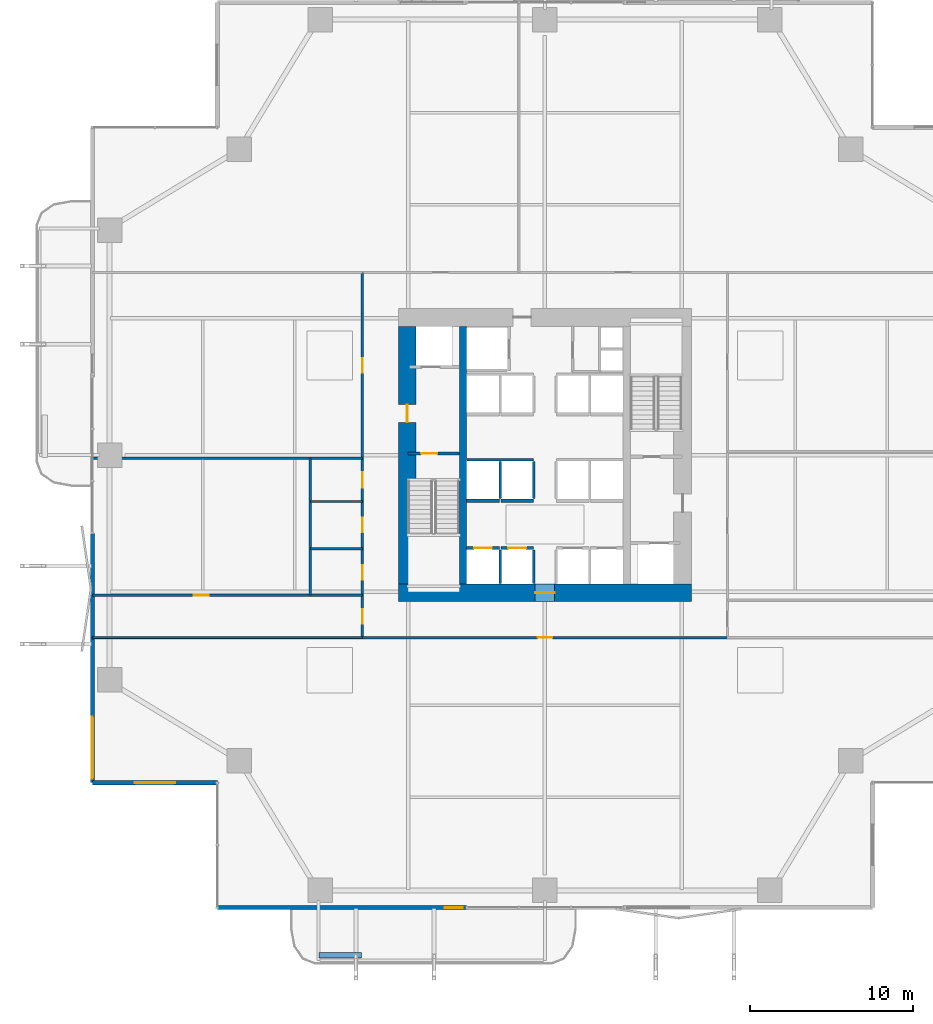
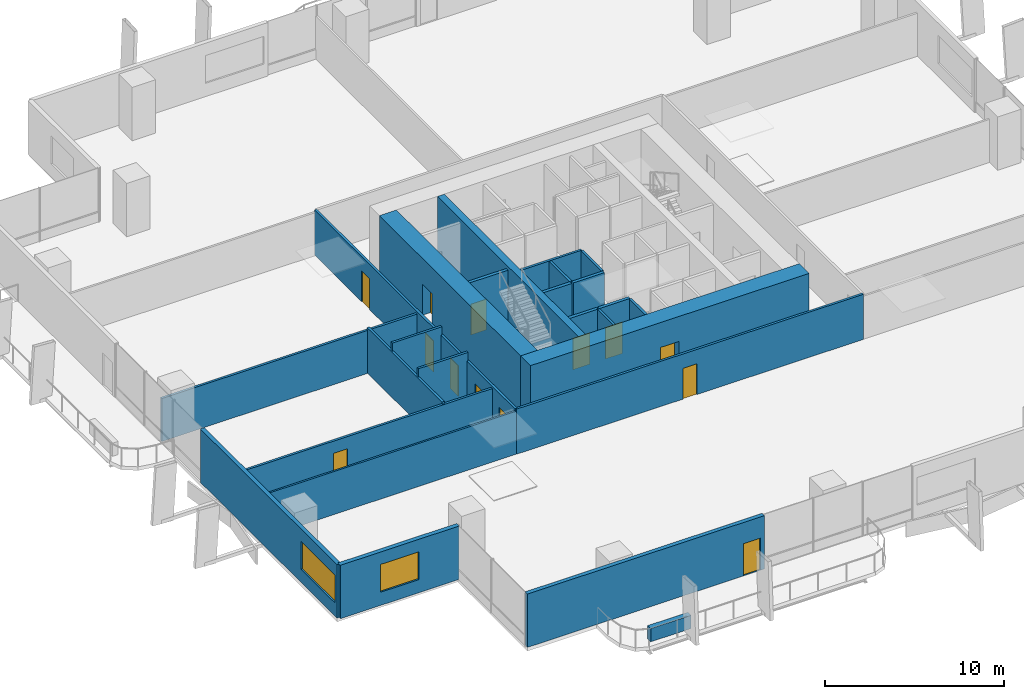
# One storey, part 24 of 30: 25 walls, 13 doors, 2 windows, 15 openings.
"""IFC4 building model written with IfcOpenShell, lengths in metres."""

from ifc_helpers import new_model, si_unit, direction, frame, frame_2d, origin, place, context, subcontext, project, spatial, rectangle, extrude, material, layer, layer_set, type_object, element, fill, save


model = new_model("IFC4")

# Units and contexts
model_context = context("Model", 3, precision=1e-05, world=origin(), true_north=direction((0.0, 1.0)))
body_context = subcontext(model_context, "Body", "Model", "MODEL_VIEW")
ifc_project = project(units=[si_unit("LENGTHUNIT", "METRE"), si_unit("AREAUNIT", "SQUARE_METRE"), si_unit("VOLUMEUNIT", "CUBIC_METRE"), si_unit("PLANEANGLEUNIT", "RADIAN"), si_unit("MASSUNIT", "GRAM", prefix="KILO")], contexts=[model_context])

# Site, building, storey
site_placement = place(None, origin())
site = spatial("IfcSite", under=ifc_project, at=site_placement, CompositionType="ELEMENT")
building_placement = place(site_placement, origin())
building = spatial("IfcBuilding", under=site, at=building_placement, Name="Belovzor Exchange Tower", CompositionType="ELEMENT")
storey_placement = place(building_placement, frame((0.0, 0.0, 30.0)))
storey = spatial("IfcBuildingStorey", under=building, at=storey_placement, Name="L06", CompositionType="ELEMENT", Elevation=30.0)

# Walls
ifc_material_1 = material(Name="Acoustic Plasterboard on Galvanised Studs", Category="gypsum")
ifc_layer_1 = layer(ifc_material_1, 0.1201171875)
ifc_layer_set_1 = layer_set([ifc_layer_1], Name="Acoustic Plasterboard on Galvanised Studs")
wall_type_1 = type_object("IfcWallType", Name="Acoustic Double-Stud Partition Wall 120", PredefinedType="PARTITIONING", material=ifc_layer_set_1)
wall_1_placement = place(storey_placement, frame((1.030029296875, 17.60009765625, 0.0), z_axis=(0.0, 0.0, 1.0), x_axis=(1.0, 0.0, 0.0)))
element("IfcWall", 1, at=wall_1_placement, inside=storey, type_object=wall_type_1, Name="W-P120 Partition Wall W-L06-END-SW", PredefinedType="PARTITIONING", context=body_context, shape_type="SweptSolid", body=[
    extrude(rectangle(XDim=16.570068359375, YDim=0.1201171875, at=frame_2d((8.28515625, 0.0))), origin(), (0.0, 0.0, 1.0), 2.93505859375),
])
ifc_material_2 = material(Name="Fire-Rated Gypsum Block and Mineral Wool", Category="gypsum")
ifc_layer_2 = layer(ifc_material_2, 0.14990234375)
ifc_layer_set_2 = layer_set([ifc_layer_2], Name="Fire-Rated Gypsum Block and Mineral Wool")
wall_type_2 = type_object("IfcWallType", Name="Fire-Rated Gypsum Block Corridor Wall 150", PredefinedType="PARTITIONING", material=ifc_layer_set_2)
wall_2_placement = place(storey_placement, frame((14.39990234375, 20.199951171875, 0.0), z_axis=(0.0, 0.0, 1.0), x_axis=(0.0, 1.0, 0.0)))
element("IfcWall", 2, at=wall_2_placement, inside=storey, type_object=wall_type_2, Name="W-P150 Partition Wall W-L06-WCW", PredefinedType="PARTITIONING", context=body_context, shape_type="SweptSolid", body=[
    extrude(rectangle(XDim=8.400146484375, YDim=0.14990234375, at=frame_2d((4.2001953125, 0.0))), origin(), (0.0, 0.0, 1.0), 3.0849609375),
])

# Wall, opening, door
wall_3_placement = place(storey_placement, frame((1.030029296875, 20.199951171875, 0.0), z_axis=(0.0, 0.0, 1.0), x_axis=(1.0, 0.0, 0.0)))
wall_3 = element("IfcWall", 3, at=wall_3_placement, inside=storey, type_object=wall_type_2, Name="W-P150 Partition Wall W-L06-WCS", PredefinedType="PARTITIONING", context=body_context, shape_type="SweptSolid", body=[
    extrude(rectangle(XDim=16.570068359375, YDim=0.14990234375, at=frame_2d((8.28515625, 0.0))), origin(), (0.0, 0.0, 1.0), 2.93505859375),
])
opening_1_placement = place(wall_3_placement, frame((6.235107421875, 0.0, 0.0)))
opening_1 = element("IfcOpeningElement", 4, at=opening_1_placement, cuts=wall_3, Name="Opening D-INT-090", PredefinedType="OPENING", context=body_context, shape_type="SweptSolid", body=[
    extrude(rectangle(XDim=0.89990234375, YDim=2.10009765625, at=frame_2d((0.449951171875, 1.050048828125))), frame((0.0, 0.0849609375, 0.0), z_axis=(0.0, -1.0, 0.0), x_axis=(1.0, 0.0, 0.0)), (0.0, 0.0, 1.0), 0.169921875),
])
ifc_material_3 = material(Name="Veneered Hardwood Acoustic Leaf", Category="wood")
door_type_1 = type_object("IfcDoorType", Name="Trading Suite Acoustic Single Door 900x2100", OperationType="NOTDEFINED", PredefinedType="DOOR", material=ifc_material_3)
door_1_placement = place(opening_1_placement, origin())
door_1 = element("IfcDoor", 5, at=door_1_placement, inside=storey, type_object=door_type_1, Name="D-INT-090 Trading Suite Acoustic Single Door 900x2100", OperationType="SINGLE_SWING_LEFT", OverallHeight=2.10009765625, OverallWidth=0.89990234375, PredefinedType="DOOR", context=body_context, shape_type="SweptSolid", body=[
    extrude(rectangle(XDim=0.89990234375, YDim=2.10009765625, at=frame_2d((0.449951171875, 1.050048828125))), frame((0.0, 0.02490234375, 0.0), z_axis=(0.0, -1.0, 0.0), x_axis=(1.0, 0.0, 0.0)), (0.0, 0.0, 1.0), 0.050048828125),
])
fill(opening_1, door_1)

# Walls
wall_4_placement = place(storey_placement, frame((1.030029296875, 28.60009765625, 0.0), z_axis=(0.0, 0.0, 1.0), x_axis=(1.0, 0.0, 0.0)))
element("IfcWall", 6, at=wall_4_placement, inside=storey, type_object=wall_type_2, Name="W-P150 Partition Wall W-L06-WCN", PredefinedType="PARTITIONING", context=body_context, shape_type="SweptSolid", body=[
    extrude(rectangle(XDim=16.570068359375, YDim=0.14990234375, at=frame_2d((8.28515625, 0.0))), origin(), (0.0, 0.0, 1.0), 2.93505859375),
])
for number, where, z_axis, x_axis, name in (
    (7, (14.39990234375, 23.050048828125, 0.0), (0.0, 0.0, 1.0), (1.0, 0.0, 0.0), "W-P150 Partition Wall W-L06-WCD1"),
    (8, (14.39990234375, 25.949951171875, 0.0), (0.0, 0.0, 1.0), (1.0, 0.0, 0.0), "W-P150 Partition Wall W-L06-WCD2"),
):
    element("IfcWall", number, at=place(storey_placement, frame(where, z_axis=z_axis, x_axis=x_axis)), inside=storey, type_object=wall_type_2, Name=name, PredefinedType="PARTITIONING", context=body_context, shape_type="SweptSolid", body=[
        extrude(rectangle(XDim=3.2001953125, YDim=0.14990234375, at=frame_2d((1.60009765625, 0.0))), origin(), (0.0, 0.0, 1.0), 3.64990234375),
    ])

# Wall, opening, door
wall_5_placement = place(storey_placement, frame((17.60009765625, 17.60009765625, 0.0), z_axis=(0.0, 0.0, 1.0), x_axis=(1.0, 0.0, 0.0)))
wall_5 = element("IfcWall", 9, at=wall_5_placement, inside=storey, type_object=wall_type_2, Name="W-P150 Partition Wall W-L06-CS", PredefinedType="PARTITIONING", context=body_context, shape_type="SweptSolid", body=[
    extrude(rectangle(XDim=22.39990234375, YDim=0.14990234375, at=frame_2d((11.199951171875, 0.0))), origin(), (0.0, 0.0, 1.0), 3.0849609375),
])
opening_2_placement = place(wall_5_placement, frame((10.75, 0.0, 0.0)))
opening_2 = element("IfcOpeningElement", 10, at=opening_2_placement, cuts=wall_5, Name="Opening D-INT-090", PredefinedType="OPENING", context=body_context, shape_type="SweptSolid", body=[
    extrude(rectangle(XDim=0.89990234375, YDim=2.10009765625, at=frame_2d((0.449951171875, 1.050048828125))), frame((0.0, 0.0849609375, 0.0), z_axis=(0.0, -1.0, 0.0), x_axis=(1.0, 0.0, 0.0)), (0.0, 0.0, 1.0), 0.169921875),
])
door_2_placement = place(opening_2_placement, origin())
door_2 = element("IfcDoor", 11, at=door_2_placement, inside=storey, type_object=door_type_1, Name="D-INT-090 Trading Suite Acoustic Single Door 900x2100", OperationType="SINGLE_SWING_LEFT", OverallHeight=2.10009765625, OverallWidth=0.89990234375, PredefinedType="DOOR", context=body_context, shape_type="SweptSolid", body=[
    extrude(rectangle(XDim=0.89990234375, YDim=2.10009765625, at=frame_2d((0.449951171875, 1.050048828125))), frame((0.0, 0.02490234375, 0.0), z_axis=(0.0, -1.0, 0.0), x_axis=(1.0, 0.0, 0.0)), (0.0, 0.0, 1.0), 0.050048828125),
])
fill(opening_2, door_2)

# Wall, openings, doors
wall_6_placement = place(storey_placement, frame((17.60009765625, 17.60009765625, 0.0), z_axis=(0.0, 0.0, 1.0), x_axis=(0.0, 1.0, 0.0)))
wall_6 = element("IfcWall", 12, at=wall_6_placement, inside=storey, type_object=wall_type_2, Name="W-P150 Partition Wall W-L06-CW", PredefinedType="PARTITIONING", context=body_context, shape_type="SweptSolid", body=[
    extrude(rectangle(XDim=22.39990234375, YDim=0.14990234375, at=frame_2d((11.199951171875, 0.0))), origin(), (0.0, 0.0, 1.0), 3.0849609375),
])
opening_3_placement = place(wall_6_placement, frame((0.85009765625, 0.0, 0.0)))
opening_3 = element("IfcOpeningElement", 13, at=opening_3_placement, cuts=wall_6, Name="Opening D-INT-090", PredefinedType="OPENING", context=body_context, shape_type="SweptSolid", body=[
    extrude(rectangle(XDim=0.89990234375, YDim=2.10009765625, at=frame_2d((0.449951171875, 1.050048828125))), frame((0.0, 0.0849609375, 0.0), z_axis=(0.0, -1.0, 0.0), x_axis=(1.0, 0.0, 0.0)), (0.0, 0.0, 1.0), 0.169921875),
])
opening_4_placement = place(wall_6_placement, frame((3.550048828125, 0.0, 0.0)))
opening_4 = element("IfcOpeningElement", 14, at=opening_4_placement, cuts=wall_6, Name="Opening D-FD60-090", PredefinedType="OPENING", context=body_context, shape_type="SweptSolid", body=[
    extrude(rectangle(XDim=0.89990234375, YDim=2.10009765625, at=frame_2d((0.449951171875, 1.050048828125))), frame((0.0, 0.0849609375, 0.0), z_axis=(0.0, -1.0, 0.0), x_axis=(1.0, 0.0, 0.0)), (0.0, 0.0, 1.0), 0.169921875),
])
opening_5_placement = place(wall_6_placement, frame((6.449951171875, 0.0, 0.0)))
opening_5 = element("IfcOpeningElement", 15, at=opening_5_placement, cuts=wall_6, Name="Opening D-FD60-090", PredefinedType="OPENING", context=body_context, shape_type="SweptSolid", body=[
    extrude(rectangle(XDim=0.89990234375, YDim=2.10009765625, at=frame_2d((0.449951171875, 1.050048828125))), frame((0.0, 0.0849609375, 0.0), z_axis=(0.0, -1.0, 0.0), x_axis=(1.0, 0.0, 0.0)), (0.0, 0.0, 1.0), 0.169921875),
])
opening_6_placement = place(wall_6_placement, frame((9.199951171875, 0.0, 0.0)))
opening_6 = element("IfcOpeningElement", 16, at=opening_6_placement, cuts=wall_6, Name="Opening D-FD60-095", PredefinedType="OPENING", context=body_context, shape_type="SweptSolid", body=[
    extrude(rectangle(XDim=0.949951171875, YDim=2.10009765625, at=frame_2d((0.47509765625, 1.050048828125))), frame((0.0, 0.0849609375, 0.0), z_axis=(0.0, -1.0, 0.0), x_axis=(1.0, 0.0, 0.0)), (0.0, 0.0, 1.0), 0.169921875),
])
opening_7_placement = place(wall_6_placement, frame((16.25, 0.0, 0.0)))
opening_7 = element("IfcOpeningElement", 17, at=opening_7_placement, cuts=wall_6, Name="Opening D-INT-090", PredefinedType="OPENING", context=body_context, shape_type="SweptSolid", body=[
    extrude(rectangle(XDim=0.89990234375, YDim=2.10009765625, at=frame_2d((0.449951171875, 1.050048828125))), frame((0.0, 0.0849609375, 0.0), z_axis=(0.0, -1.0, 0.0), x_axis=(1.0, 0.0, 0.0)), (0.0, 0.0, 1.0), 0.169921875),
])
ifc_material_4 = material(Name="Moisture-Resistant Timber Fire Leaf", Category="wood")
door_type_2 = type_object("IfcDoorType", Name="Accessible Restroom Wide Fire Door 950x2100", OperationType="NOTDEFINED", PredefinedType="DOOR", material=ifc_material_4)
door_3_placement = place(opening_6_placement, origin())
door_3 = element("IfcDoor", 18, at=door_3_placement, inside=storey, type_object=door_type_2, Name="D-FD60-095 Accessible Restroom Wide Fire Door 950x2100", OperationType="SINGLE_SWING_LEFT", OverallHeight=2.10009765625, OverallWidth=0.949951171875, PredefinedType="DOOR", context=body_context, shape_type="SweptSolid", body=[
    extrude(rectangle(XDim=0.949951171875, YDim=2.10009765625, at=frame_2d((0.47509765625, 1.050048828125))), frame((0.0, 0.02490234375, 0.0), z_axis=(0.0, -1.0, 0.0), x_axis=(1.0, 0.0, 0.0)), (0.0, 0.0, 1.0), 0.050048828125),
])
fill(opening_6, door_3)
ifc_material_5 = material(Name="Acoustic Timber Fire Leaf", Category="wood")
door_type_3 = type_object("IfcDoorType", Name="Core Service & Restroom Fire Door 900x2100", OperationType="NOTDEFINED", PredefinedType="DOOR", material=ifc_material_5)
door_4_placement = place(opening_4_placement, origin())
door_4 = element("IfcDoor", 19, at=door_4_placement, inside=storey, type_object=door_type_3, Name="D-FD60-090 Core Service & Restroom Fire Door 900x2100", OperationType="SINGLE_SWING_LEFT", OverallHeight=2.10009765625, OverallWidth=0.89990234375, PredefinedType="DOOR", context=body_context, shape_type="SweptSolid", body=[
    extrude(rectangle(XDim=0.89990234375, YDim=2.10009765625, at=frame_2d((0.449951171875, 1.050048828125))), frame((0.0, 0.02490234375, 0.0), z_axis=(0.0, -1.0, 0.0), x_axis=(1.0, 0.0, 0.0)), (0.0, 0.0, 1.0), 0.050048828125),
])
fill(opening_4, door_4)
door_5_placement = place(opening_5_placement, origin())
door_5 = element("IfcDoor", 20, at=door_5_placement, inside=storey, type_object=door_type_3, Name="D-FD60-090 Core Service & Restroom Fire Door 900x2100", OperationType="SINGLE_SWING_RIGHT", OverallHeight=2.10009765625, OverallWidth=0.89990234375, PredefinedType="DOOR", context=body_context, shape_type="SweptSolid", body=[
    extrude(rectangle(XDim=0.89990234375, YDim=2.10009765625, at=frame_2d((0.449951171875, 1.050048828125))), frame((0.0, 0.02490234375, 0.0), z_axis=(0.0, -1.0, 0.0), x_axis=(1.0, 0.0, 0.0)), (0.0, 0.0, 1.0), 0.050048828125),
])
fill(opening_5, door_5)
door_6_placement = place(opening_3_placement, origin())
door_6 = element("IfcDoor", 21, at=door_6_placement, inside=storey, type_object=door_type_1, Name="D-INT-090 Trading Suite Acoustic Single Door 900x2100", OperationType="SINGLE_SWING_LEFT", OverallHeight=2.10009765625, OverallWidth=0.89990234375, PredefinedType="DOOR", context=body_context, shape_type="SweptSolid", body=[
    extrude(rectangle(XDim=0.89990234375, YDim=2.10009765625, at=frame_2d((0.449951171875, 1.050048828125))), frame((0.0, 0.02490234375, 0.0), z_axis=(0.0, -1.0, 0.0), x_axis=(1.0, 0.0, 0.0)), (0.0, 0.0, 1.0), 0.050048828125),
])
fill(opening_3, door_6)
door_7_placement = place(opening_7_placement, origin())
door_7 = element("IfcDoor", 22, at=door_7_placement, inside=storey, type_object=door_type_1, Name="D-INT-090 Trading Suite Acoustic Single Door 900x2100", OperationType="SINGLE_SWING_RIGHT", OverallHeight=2.10009765625, OverallWidth=0.89990234375, PredefinedType="DOOR", context=body_context, shape_type="SweptSolid", body=[
    extrude(rectangle(XDim=0.89990234375, YDim=2.10009765625, at=frame_2d((0.449951171875, 1.050048828125))), frame((0.0, 0.02490234375, 0.0), z_axis=(0.0, -1.0, 0.0), x_axis=(1.0, 0.0, 0.0)), (0.0, 0.0, 1.0), 0.050048828125),
])
fill(opening_7, door_7)

# Wall, opening, window
ifc_material_6 = material(Name="Precast concrete C40/50", Category="concrete")
ifc_layer_3 = layer(ifc_material_6, 0.280029296875)
ifc_layer_set_3 = layer_set([ifc_layer_3], Name="Precast concrete C40/50")
wall_type_3 = type_object("IfcWallType", Name="Precast Concrete Notched Corner Frame Wall 280", PredefinedType="SOLIDWALL", material=ifc_layer_set_3)
wall_7_placement = place(storey_placement, frame((8.699951171875, 8.699951171875, 0.0), z_axis=(0.0, 0.0, 1.0), x_axis=(-1.0, 0.0, 0.0)))
wall_7 = element("IfcWall", 23, at=wall_7_placement, inside=storey, type_object=wall_type_3, Name="W-CRN280 Precast Concrete Notched Corner Frame Wall 280 L06", PredefinedType="SOLIDWALL", context=body_context, shape_type="SweptSolid", body=[
    extrude(rectangle(XDim=7.669921875, YDim=0.280029296875, at=frame_2d((3.8349609375, 0.0))), origin(), (0.0, 0.0, 1.0), 3.64990234375),
])
opening_8_placement = place(wall_7_placement, frame((2.5849609375, 0.0, 0.89990234375)))
opening_8 = element("IfcOpeningElement", 24, at=opening_8_placement, cuts=wall_7, Name="Opening WN-CRN250", PredefinedType="OPENING", context=body_context, shape_type="SweptSolid", body=[
    extrude(rectangle(XDim=2.5, YDim=1.89990234375, at=frame_2d((1.25, 0.949951171875))), frame((0.0, 0.14990234375, 0.0), z_axis=(0.0, -1.0, 0.0), x_axis=(1.0, 0.0, 0.0)), (0.0, 0.0, 1.0), 0.300048828125),
])
ifc_material_7 = material(Name="Thermally Broken Aluminium and Triple Glazing", Category="aluminium")
window_type_1 = type_object("IfcWindowType", Name="Streamline Moderne Corner Wrap Ribbon Window 2500x1900", PartitioningType="SINGLE_PANEL", PredefinedType="WINDOW", material=ifc_material_7)
window_1_placement = place(opening_8_placement, origin())
window_1 = element("IfcWindow", 25, at=window_1_placement, inside=storey, type_object=window_type_1, Name="WN-CRN250 Streamline Moderne Corner Wrap Ribbon Window 2500x1900", OverallHeight=1.89990234375, OverallWidth=2.5, PartitioningType="SINGLE_PANEL", PredefinedType="WINDOW", context=body_context, shape_type="SweptSolid", body=[
    extrude(rectangle(XDim=2.5, YDim=1.89990234375, at=frame_2d((1.25, 0.949951171875))), frame((0.0, 0.030029296875, 0.0), z_axis=(0.0, -1.0, 0.0), x_axis=(1.0, 0.0, 0.0)), (0.0, 0.0, 1.0), 0.06005859375),
])
fill(opening_8, window_1)

# Wall, opening, door
ifc_material_8 = material(Name="Precast concrete C40/50", Category="concrete")
ifc_layer_4 = layer(ifc_material_8, 0.260009765625)
ifc_layer_set_4 = layer_set([ifc_layer_4], Name="Precast concrete C40/50")
wall_type_4 = type_object("IfcWallType", Name="Precast Concrete Perimeter Loggia Frame Wall 260", PredefinedType="SOLIDWALL", material=ifc_layer_set_4)
wall_8_placement = place(storey_placement, frame((24.0, 1.030029296875, 0.0), z_axis=(0.0, 0.0, 1.0), x_axis=(-1.0, 0.0, 0.0)))
wall_8 = element("IfcWall", 26, at=wall_8_placement, inside=storey, type_object=wall_type_4, Name="W-EXT260 Precast Concrete Perimeter Loggia Frame Wall 260 L06", PredefinedType="SOLIDWALL", context=body_context, shape_type="SweptSolid", body=[
    extrude(rectangle(XDim=15.300048828125, YDim=0.260009765625, at=frame_2d((7.64990234375, 0.0))), origin(), (0.0, 0.0, 1.0), 3.64990234375),
])
opening_9_placement = place(wall_8_placement, frame((0.25, 0.0, 0.0)))
opening_9 = element("IfcOpeningElement", 27, at=opening_9_placement, cuts=wall_8, Name="Opening D-BAL110", PredefinedType="OPENING", context=body_context, shape_type="SweptSolid", body=[
    extrude(rectangle(XDim=1.10009765625, YDim=2.199951171875, at=frame_2d((0.550048828125, 1.10009765625))), frame((0.0, 0.139892578125, 0.0), z_axis=(0.0, -1.0, 0.0), x_axis=(1.0, 0.0, 0.0)), (0.0, 0.0, 1.0), 0.280029296875),
])
ifc_material_9 = material(Name="Thermally Broken Anodised Aluminium and Laminated Glass", Category="aluminium")
door_type_4 = type_object("IfcDoorType", Name="Planted Loggia Terrace Glazed Door 1100x2200", OperationType="SINGLE_SWING_LEFT", PredefinedType="DOOR", material=ifc_material_9)
door_8_placement = place(opening_9_placement, origin())
door_8 = element("IfcDoor", 28, at=door_8_placement, inside=storey, type_object=door_type_4, Name="D-BAL110 Balcony Terrace Door L06 S", OperationType="SINGLE_SWING_LEFT", OverallHeight=2.199951171875, OverallWidth=1.10009765625, PredefinedType="DOOR", context=body_context, shape_type="SweptSolid", body=[
    extrude(rectangle(XDim=1.10009765625, YDim=2.199951171875, at=frame_2d((0.550048828125, 1.10009765625))), frame((0.0, 0.02490234375, 0.0), z_axis=(0.0, -1.0, 0.0), x_axis=(1.0, 0.0, 0.0)), (0.0, 0.0, 1.0), 0.050048828125),
])
fill(opening_9, door_8)

# Wall, opening, window
wall_9_placement = place(storey_placement, frame((1.030029296875, 8.699951171875, 0.0), z_axis=(0.0, 0.0, 1.0), x_axis=(0.0, 1.0, 0.0)))
wall_9 = element("IfcWall", 29, at=wall_9_placement, inside=storey, type_object=wall_type_4, Name="W-EXT260 Precast Concrete Perimeter Loggia Frame Wall 260 L06", PredefinedType="SOLIDWALL", context=body_context, shape_type="SweptSolid", body=[
    extrude(rectangle(XDim=15.300048828125, YDim=0.260009765625, at=frame_2d((7.64990234375, 0.0))), origin(), (0.0, 0.0, 1.0), 3.64990234375),
])
opening_10_placement = place(wall_9_placement, frame((0.25, 0.0, 0.89990234375)))
opening_10 = element("IfcOpeningElement", 30, at=opening_10_placement, cuts=wall_9, Name="Opening WN-RIB380", PredefinedType="OPENING", context=body_context, shape_type="SweptSolid", body=[
    extrude(rectangle(XDim=3.800048828125, YDim=1.89990234375, at=frame_2d((1.89990234375, 0.949951171875))), frame((0.0, 0.139892578125, 0.0), z_axis=(0.0, -1.0, 0.0), x_axis=(1.0, 0.0, 0.0)), (0.0, 0.0, 1.0), 0.280029296875),
])
ifc_material_10 = material(Name="Thermally Broken Aluminium and Triple Glazing", Category="aluminium")
window_type_2 = type_object("IfcWindowType", Name="Streamline Moderne Horizontal Ribbon Window 3800x1900", PartitioningType="SINGLE_PANEL", PredefinedType="WINDOW", material=ifc_material_10)
window_2_placement = place(opening_10_placement, origin())
window_2 = element("IfcWindow", 31, at=window_2_placement, inside=storey, type_object=window_type_2, Name="WN-RIB380 Streamline Moderne Horizontal Ribbon Window 3800x1900", OverallHeight=1.89990234375, OverallWidth=3.800048828125, PartitioningType="SINGLE_PANEL", PredefinedType="WINDOW", context=body_context, shape_type="SweptSolid", body=[
    extrude(rectangle(XDim=3.800048828125, YDim=1.89990234375, at=frame_2d((1.89990234375, 0.949951171875))), frame((0.0, 0.030029296875, 0.0), z_axis=(0.0, -1.0, 0.0), x_axis=(1.0, 0.0, 0.0)), (0.0, 0.0, 1.0), 0.06005859375),
])
fill(opening_10, window_2)

# Walls
ifc_material_11 = material(Name="Precast concrete C40/50", Category="concrete")
ifc_layer_5 = layer(ifc_material_11, 0.35009765625)
ifc_layer_set_5 = layer_set([ifc_layer_5], Name="Precast concrete C40/50")
wall_type_5 = type_object("IfcWallType", Name="Precast Concrete Structural Tree Planter Trough 350", PredefinedType="PARAPET", material=ifc_layer_set_5)
wall_10_placement = place(storey_placement, frame((14.949951171875, -1.89990234375, 0.0), z_axis=(0.0, 0.0, 1.0), x_axis=(1.0, 0.0, 0.0)))
element("IfcWall", 32, at=wall_10_placement, inside=storey, type_object=wall_type_5, Name="PT-350 Precast Concrete Structural Tree Planter Trough 350 L06", PredefinedType="PARAPET", context=body_context, shape_type="SweptSolid", body=[
    extrude(rectangle(XDim=2.60009765625, YDim=0.35009765625, at=frame_2d((1.300048828125, 0.0))), origin(), (0.0, 0.0, 1.0), 0.89990234375),
])
ifc_material_12 = material(Name="Concrete C50/60", Category="concrete")
ifc_layer_6 = layer(ifc_material_12, 0.449951171875)
ifc_layer_set_6 = layer_set([ifc_layer_6], Name="Concrete C50/60")
wall_type_6 = type_object("IfcWallType", Name="Reinforced Concrete Core Internal Web Wall 450", PredefinedType="SHEAR", material=ifc_layer_set_6)
wall_11_placement = place(storey_placement, frame((23.77490234375, 20.89990234375, 0.0), z_axis=(0.0, 0.0, 1.0), x_axis=(0.0, 1.0, 0.0)))
element("IfcWall", 33, at=wall_11_placement, inside=storey, type_object=wall_type_6, Name="CW-W045 Core Internal Web Wall L06 WL", PredefinedType="SHEAR", context=body_context, shape_type="SweptSolid", body=[
    extrude(rectangle(XDim=15.800048828125, YDim=0.449951171875, at=frame_2d((7.89990234375, 0.0))), origin(), (0.0, 0.0, 1.0), 3.89990234375),
])
ifc_material_13 = material(Name="Concrete C50/60", Category="concrete")
ifc_layer_7 = layer(ifc_material_13, 0.14990234375)
ifc_layer_set_7 = layer_set([ifc_layer_7], Name="Concrete C50/60")
wall_type_7 = type_object("IfcWallType", Name="Reinforced Concrete Core Riser Shear Wall 150", PredefinedType="SHEAR", material=ifc_layer_set_7)
for number, where, z_axis, x_axis, name in (
    (34, (26.050048828125, 20.919921875, 0.0), (0.0, 0.0, 1.0), (0.0, 1.0, 0.0), "W-C150S Core Shaft Wall W-SHD-L06-PLL-1"),
    (35, (28.10009765625, 20.919921875, 0.0), (0.0, 0.0, 1.0), (0.0, 1.0, 0.0), "W-C150S Core Shaft Wall W-SHD-L06-PLL-2"),
):
    element("IfcWall", number, at=place(storey_placement, frame(where, z_axis=z_axis, x_axis=x_axis)), inside=storey, type_object=wall_type_7, Name=name, PredefinedType="SHEAR", context=body_context, shape_type="SweptSolid", body=[
        extrude(rectangle(XDim=2.06005859375, YDim=0.14990234375, at=frame_2d((1.030029296875, 0.0))), origin(), (0.0, 0.0, 1.0), 3.64990234375),
    ])
wall_12_placement = place(storey_placement, frame((24.02001953125, 28.5, 0.0), z_axis=(0.0, 0.0, 1.0), x_axis=(1.0, 0.0, 0.0)))
element("IfcWall", 36, at=wall_12_placement, inside=storey, type_object=wall_type_7, Name="W-C150S Core Shaft Wall W-SHB-L06-PLM-NW", PredefinedType="SHEAR", context=body_context, shape_type="SweptSolid", body=[
    extrude(rectangle(XDim=4.080078125, YDim=0.14990234375, at=frame_2d((2.0400390625, 0.0))), origin(), (0.0, 0.0, 1.0), 3.64990234375),
])
for number, where, z_axis, x_axis, name in (
    (37, (26.050048828125, 26.1201171875, 0.0), (0.0, 0.0, 1.0), (0.0, 1.0, 0.0), "W-C150S Core Shaft Wall W-SHD-L06-PLM-1"),
    (38, (28.10009765625, 26.1201171875, 0.0), (0.0, 0.0, 1.0), (0.0, 1.0, 0.0), "W-C150S Core Shaft Wall W-SHD-L06-PLM-2"),
):
    element("IfcWall", number, at=place(storey_placement, frame(where, z_axis=z_axis, x_axis=x_axis)), inside=storey, type_object=wall_type_7, Name=name, PredefinedType="SHEAR", context=body_context, shape_type="SweptSolid", body=[
        extrude(rectangle(XDim=2.27978515625, YDim=0.14990234375, at=frame_2d((1.139892578125, 0.0))), origin(), (0.0, 0.0, 1.0), 3.64990234375),
    ])

# Wall, opening, door
ifc_material_14 = material(Name="Concrete C50/60", Category="concrete")
ifc_layer_8 = layer(ifc_material_14, 0.199951171875)
ifc_layer_set_8 = layer_set([ifc_layer_8], Name="Concrete C50/60")
wall_type_8 = type_object("IfcWallType", Name="Reinforced Concrete Core Shaft Shear Wall 200", PredefinedType="SHEAR", material=ifc_layer_set_8)
wall_13_placement = place(storey_placement, frame((20.39990234375, 28.89990234375, 0.0), z_axis=(0.0, 0.0, 1.0), x_axis=(1.0, 0.0, 0.0)))
wall_13 = element("IfcWall", 39, at=wall_13_placement, inside=storey, type_object=wall_type_8, Name="W-C200S Core Shaft Wall W-CORE-L06-FFLW1", PredefinedType="SHEAR", context=body_context, shape_type="SweptSolid", body=[
    extrude(rectangle(XDim=3.150146484375, YDim=0.199951171875, at=frame_2d((1.5751953125, 0.0))), origin(), (0.0, 0.0, 1.0), 3.64990234375),
])
opening_11_placement = place(wall_13_placement, frame((0.800048828125, 0.0, 0.0)))
opening_11 = element("IfcOpeningElement", 40, at=opening_11_placement, cuts=wall_13, Name="Opening D-FD90-100", PredefinedType="OPENING", context=body_context, shape_type="SweptSolid", body=[
    extrude(rectangle(XDim=1.0, YDim=2.10009765625, at=frame_2d((0.5, 1.050048828125))), frame((0.0, 0.10986328125, 0.0), z_axis=(0.0, -1.0, 0.0), x_axis=(1.0, 0.0, 0.0)), (0.0, 0.0, 1.0), 0.219970703125),
])
ifc_material_15 = material(Name="Fire-Rated Galvanised Steel Leaf", Category="steel")
door_type_5 = type_object("IfcDoorType", Name="Protected Stairwell Single Fire Door 1000x2100", OperationType="NOTDEFINED", PredefinedType="DOOR", material=ifc_material_15)
door_9_placement = place(opening_11_placement, origin())
door_9 = element("IfcDoor", 41, at=door_9_placement, inside=storey, type_object=door_type_5, Name="D-FD90-100 Protected Stairwell Single Fire Door 1000x2100", OperationType="SINGLE_SWING_RIGHT", OverallHeight=2.10009765625, OverallWidth=1.0, PredefinedType="DOOR", context=body_context, shape_type="SweptSolid", body=[
    extrude(rectangle(XDim=1.0, YDim=2.10009765625, at=frame_2d((0.5, 1.050048828125))), frame((0.0, 0.02490234375, 0.0), z_axis=(0.0, -1.0, 0.0), x_axis=(1.0, 0.0, 0.0)), (0.0, 0.0, 1.0), 0.050048828125),
])
fill(opening_11, door_9)

wall_14_placement = place(storey_placement, frame((24.0, 23.10009765625, 0.0), z_axis=(0.0, 0.0, 1.0), x_axis=(1.0, 0.0, 0.0)))
wall_14 = element("IfcWall", 42, at=wall_14_placement, inside=storey, type_object=wall_type_8, Name="W-C200S Core Shaft Wall W-SH-L06-PL-L1", PredefinedType="SHEAR", context=body_context, shape_type="SweptSolid", body=[
    extrude(rectangle(XDim=2.0, YDim=0.199951171875, at=frame_2d((1.0, 0.0))), origin(), (0.0, 0.0, 1.0), 3.64990234375),
])
opening_12_placement = place(wall_14_placement, frame((0.449951171875, 0.0, 0.0)))
opening_12 = element("IfcOpeningElement", 43, at=opening_12_placement, cuts=wall_14, Name="Opening LD-110", PredefinedType="OPENING", context=body_context, shape_type="SweptSolid", body=[
    extrude(rectangle(XDim=1.10009765625, YDim=2.14990234375, at=frame_2d((0.550048828125, 1.074951171875))), frame((0.0, 0.10986328125, 0.0), z_axis=(0.0, -1.0, 0.0), x_axis=(1.0, 0.0, 0.0)), (0.0, 0.0, 1.0), 0.219970703125),
])
ifc_material_16 = material(Name="Stainless Steel Grade 304", Category="steel")
door_type_6 = type_object("IfcDoorType", Name="Automated Stainless Steel Lift Landing Door 1100x2150", OperationType="SLIDING_TO_RIGHT", PredefinedType="DOOR", material=ifc_material_16)
door_10_placement = place(opening_12_placement, origin())
door_10 = element("IfcDoor", 44, at=door_10_placement, inside=storey, type_object=door_type_6, Name="LD-110 Automated Stainless Steel Lift Landing Door 1100x2150", OperationType="SLIDING_TO_RIGHT", OverallHeight=2.14990234375, OverallWidth=1.10009765625, PredefinedType="DOOR", context=body_context, shape_type="SweptSolid", body=[
    extrude(rectangle(XDim=1.10009765625, YDim=2.14990234375, at=frame_2d((0.550048828125, 1.074951171875))), frame((0.0, 0.02490234375, 0.0), z_axis=(0.0, -1.0, 0.0), x_axis=(1.0, 0.0, 0.0)), (0.0, 0.0, 1.0), 0.050048828125),
])
fill(opening_12, door_10)

wall_15_placement = place(storey_placement, frame((26.10009765625, 23.10009765625, 0.0), z_axis=(0.0, 0.0, 1.0), x_axis=(1.0, 0.0, 0.0)))
wall_15 = element("IfcWall", 45, at=wall_15_placement, inside=storey, type_object=wall_type_8, Name="W-C200S Core Shaft Wall W-SH-L06-PL-L2", PredefinedType="SHEAR", context=body_context, shape_type="SweptSolid", body=[
    extrude(rectangle(XDim=2.0, YDim=0.199951171875, at=frame_2d((1.0, 0.0))), origin(), (0.0, 0.0, 1.0), 3.64990234375),
])
opening_13_placement = place(wall_15_placement, frame((0.449951171875, 0.0, 0.0)))
opening_13 = element("IfcOpeningElement", 46, at=opening_13_placement, cuts=wall_15, Name="Opening LD-110", PredefinedType="OPENING", context=body_context, shape_type="SweptSolid", body=[
    extrude(rectangle(XDim=1.10009765625, YDim=2.14990234375, at=frame_2d((0.550048828125, 1.074951171875))), frame((0.0, 0.10986328125, 0.0), z_axis=(0.0, -1.0, 0.0), x_axis=(1.0, 0.0, 0.0)), (0.0, 0.0, 1.0), 0.219970703125),
])
door_11_placement = place(opening_13_placement, origin())
door_11 = element("IfcDoor", 47, at=door_11_placement, inside=storey, type_object=door_type_6, Name="LD-110 Automated Stainless Steel Lift Landing Door 1100x2150", OperationType="SLIDING_TO_RIGHT", OverallHeight=2.14990234375, OverallWidth=1.10009765625, PredefinedType="DOOR", context=body_context, shape_type="SweptSolid", body=[
    extrude(rectangle(XDim=1.10009765625, YDim=2.14990234375, at=frame_2d((0.550048828125, 1.074951171875))), frame((0.0, 0.02490234375, 0.0), z_axis=(0.0, -1.0, 0.0), x_axis=(1.0, 0.0, 0.0)), (0.0, 0.0, 1.0), 0.050048828125),
])
fill(opening_13, door_11)

# Walls
for number, where, z_axis, x_axis, name in (
    (48, (24.0, 26.0, 0.0), (0.0, 0.0, 1.0), (1.0, 0.0, 0.0), "W-C200S Core Shaft Wall W-SH-L06-PL-M1"),
    (49, (26.10009765625, 26.0, 0.0), (0.0, 0.0, 1.0), (1.0, 0.0, 0.0), "W-C200S Core Shaft Wall W-SH-L06-PL-M2"),
):
    element("IfcWall", number, at=place(storey_placement, frame(where, z_axis=z_axis, x_axis=x_axis)), inside=storey, type_object=wall_type_8, Name=name, PredefinedType="SHEAR", context=body_context, shape_type="SweptSolid", body=[
        extrude(rectangle(XDim=2.0, YDim=0.199951171875, at=frame_2d((1.0, 0.0))), origin(), (0.0, 0.0, 1.0), 3.64990234375),
    ])

# Wall, opening, door
ifc_material_17 = material(Name="Concrete C60/75", Category="concrete")
ifc_layer_9 = layer(ifc_material_17, 1.10009765625)
ifc_layer_set_9 = layer_set([ifc_layer_9], Name="Concrete C60/75")
wall_type_9 = type_object("IfcWallType", Name="Reinforced Concrete Core Shear Wall 1100", PredefinedType="SHEAR", material=ifc_layer_set_9)
wall_16_placement = place(storey_placement, frame((19.800048828125, 20.35009765625, 0.0), z_axis=(0.0, 0.0, 1.0), x_axis=(1.0, 0.0, 0.0)))
wall_16 = element("IfcWall", 50, at=wall_16_placement, inside=storey, type_object=wall_type_9, Name="CW-S110 Core Shear Wall L06 S", PredefinedType="SHEAR", context=body_context, shape_type="SweptSolid", body=[
    extrude(rectangle(XDim=18.0, YDim=1.10009765625, at=frame_2d((9.0, 0.0))), origin(), (0.0, 0.0, 1.0), 3.89990234375),
])
opening_14_placement = place(wall_16_placement, frame((8.39990234375, 0.0, 0.0)))
opening_14 = element("IfcOpeningElement", 51, at=opening_14_placement, cuts=wall_16, Name="Opening D-FD90-120", PredefinedType="OPENING", context=body_context, shape_type="SweptSolid", body=[
    extrude(rectangle(XDim=1.199951171875, YDim=2.199951171875, at=frame_2d((0.60009765625, 1.10009765625))), frame((0.0, 0.56005859375, 0.0), z_axis=(0.0, -1.0, 0.0), x_axis=(1.0, 0.0, 0.0)), (0.0, 0.0, 1.0), 1.1201171875),
])
ifc_material_18 = material(Name="Fire-Rated Galvanised Steel Leaf", Category="steel")
door_type_7 = type_object("IfcDoorType", Name="Heavy Plant & Foyer Fire Door 1200x2200", OperationType="NOTDEFINED", PredefinedType="DOOR", material=ifc_material_18)
door_12_placement = place(opening_14_placement, origin())
door_12 = element("IfcDoor", 52, at=door_12_placement, inside=storey, type_object=door_type_7, Name="D-FD90-120 Heavy Plant & Foyer Fire Door 1200x2200", OperationType="SINGLE_SWING_LEFT", OverallHeight=2.199951171875, OverallWidth=1.199951171875, PredefinedType="DOOR", context=body_context, shape_type="SweptSolid", body=[
    extrude(rectangle(XDim=1.199951171875, YDim=2.199951171875, at=frame_2d((0.60009765625, 1.10009765625))), frame((0.0, 0.02490234375, 0.0), z_axis=(0.0, -1.0, 0.0), x_axis=(1.0, 0.0, 0.0)), (0.0, 0.0, 1.0), 0.050048828125),
])
fill(opening_14, door_12)

wall_17_placement = place(storey_placement, frame((20.35009765625, 20.89990234375, 0.0), z_axis=(0.0, 0.0, 1.0), x_axis=(0.0, 1.0, 0.0)))
wall_17 = element("IfcWall", 53, at=wall_17_placement, inside=storey, type_object=wall_type_9, Name="CW-S110 Core Shear Wall L06 W", PredefinedType="SHEAR", context=body_context, shape_type="SweptSolid", body=[
    extrude(rectangle(XDim=15.800048828125, YDim=1.10009765625, at=frame_2d((7.89990234375, 0.0))), origin(), (0.0, 0.0, 1.0), 3.89990234375),
])
opening_15_placement = place(wall_17_placement, frame((9.89990234375, 0.0, 0.0)))
opening_15 = element("IfcOpeningElement", 54, at=opening_15_placement, cuts=wall_17, Name="Opening D-FD90-110", PredefinedType="OPENING", context=body_context, shape_type="SweptSolid", body=[
    extrude(rectangle(XDim=1.10009765625, YDim=2.14990234375, at=frame_2d((0.550048828125, 1.074951171875))), frame((0.0, 0.56005859375, 0.0), z_axis=(0.0, -1.0, 0.0), x_axis=(1.0, 0.0, 0.0)), (0.0, 0.0, 1.0), 1.1201171875),
])
ifc_material_19 = material(Name="Fire-Rated Galvanised Steel Leaf", Category="steel")
door_type_8 = type_object("IfcDoorType", Name="Protected Escape Vestibule Fire Door 1100x2150", OperationType="NOTDEFINED", PredefinedType="DOOR", material=ifc_material_19)
door_13_placement = place(opening_15_placement, origin())
door_13 = element("IfcDoor", 55, at=door_13_placement, inside=storey, type_object=door_type_8, Name="D-FD90-110 Protected Escape Vestibule Fire Door 1100x2150", OperationType="SINGLE_SWING_LEFT", OverallHeight=2.14990234375, OverallWidth=1.10009765625, PredefinedType="DOOR", context=body_context, shape_type="SweptSolid", body=[
    extrude(rectangle(XDim=1.10009765625, YDim=2.14990234375, at=frame_2d((0.550048828125, 1.074951171875))), frame((0.0, 0.02490234375, 0.0), z_axis=(0.0, -1.0, 0.0), x_axis=(1.0, 0.0, 0.0)), (0.0, 0.0, 1.0), 0.050048828125),
])
fill(opening_15, door_13)

save(model, "model.ifc")
